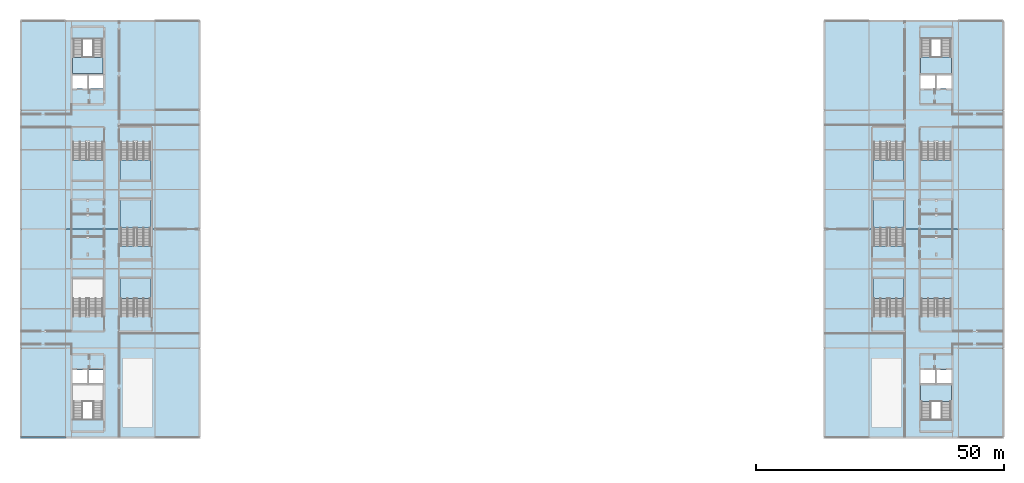
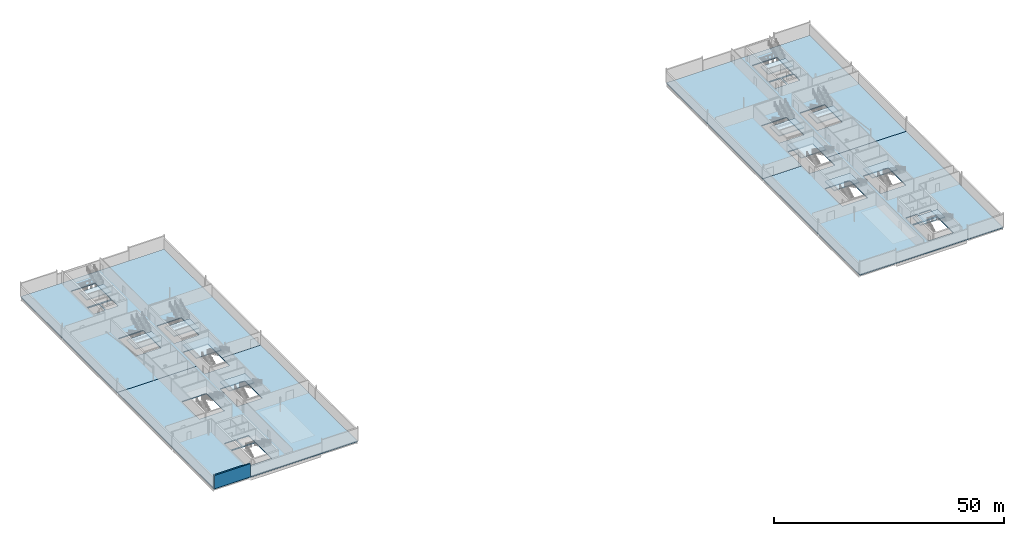
# One storey, part 13 of 30: 16 slabs, 1 wall, 12 elements without a shape of their own.
"""IFC4 building model written with IfcOpenShell, lengths in metres."""

from ifc_helpers import new_model, si_unit, direction, frame, frame_2d, origin, place, context, subcontext, project, spatial, polyline, rectangle, outline, extrude, material, layer, layer_set, type_object, element, aggregate, save


model = new_model("IFC4")

# Units and contexts
model_context = context("Model", 3, precision=1e-05, world=origin(), true_north=direction((0.0, 1.0)))
body_context = subcontext(model_context, "Body", "Model", "MODEL_VIEW")
ifc_project = project(units=[si_unit("LENGTHUNIT", "METRE"), si_unit("AREAUNIT", "SQUARE_METRE"), si_unit("VOLUMEUNIT", "CUBIC_METRE"), si_unit("PLANEANGLEUNIT", "RADIAN"), si_unit("MASSUNIT", "GRAM", prefix="KILO")], contexts=[model_context])

# Site, building, storey
site_placement = place(None, origin())
site = spatial("IfcSite", under=ifc_project, at=site_placement, CompositionType="ELEMENT")
building_placement = place(site_placement, origin())
building = spatial("IfcBuilding", under=site, at=building_placement, Name="Kisiwana Market Hall", CompositionType="ELEMENT")
storey_placement = place(building_placement, frame((0.0, 0.0, 54.0)))
storey = spatial("IfcBuildingStorey", under=building, at=storey_placement, Name="L12", CompositionType="ELEMENT", Elevation=54.0)

# Stair, slab
ifc_material_1 = material(Name="Concrete C32/40", Category="concrete")
stair_type_1 = type_object("IfcStairType", Name="ST-TWR-3900", PredefinedType="TWO_STRAIGHT_RUN_STAIR", material=ifc_material_1)
stair_1_placement = place(storey_placement, origin())
stair_1 = element("IfcStair", 1, at=stair_1_placement, inside=storey, type_object=stair_type_1, Name="Escape stair ST-W1-L12", PredefinedType="TWO_STRAIGHT_RUN_STAIR")
ifc_material_2 = material(Name="Concrete C32/40", Category="concrete")
ifc_layer_1 = layer(ifc_material_2, 0.239990234375)
ifc_layer_set_1 = layer_set([ifc_layer_1], Name="SL-LANDING-160")
slab_type_1 = type_object("IfcSlabType", Name="SL-LANDING-160", PredefinedType="LANDING", material=ifc_layer_set_1)
slab_1_placement = place(storey_placement, frame((0.0, 0.0, 1.7099609375)))
slab_1 = element("IfcSlab", 2, at=slab_1_placement, type_object=slab_type_1, Name="ST-W1-L12 landing 1 S-413", PredefinedType="LANDING", context=body_context, shape_type="SweptSolid", body=[
    extrude(outline(polyline([(10.405029296875, 91.35498046875), (16.594970703125, 91.35498046875), (16.594970703125, 94.666015625), (10.405029296875, 94.666015625), (10.405029296875, 91.35498046875)])), origin(), (0.0, 0.0, 1.0), 0.239990234375),
])
aggregate(stair_1, [slab_1])

stair_2_placement = place(storey_placement, origin())
stair_2 = element("IfcStair", 3, at=stair_2_placement, inside=storey, type_object=stair_type_1, Name="Escape stair ST-E2-L12", PredefinedType="TWO_STRAIGHT_RUN_STAIR")
slab_2_placement = place(storey_placement, frame((0.0, 0.0, 1.7099609375)))
slab_2 = element("IfcSlab", 4, at=slab_2_placement, type_object=slab_type_1, Name="ST-E2-L12 landing 1 S-407", PredefinedType="LANDING", context=body_context, shape_type="SweptSolid", body=[
    extrude(outline(polyline([(181.3798828125, 25.30908203125), (187.6201171875, 25.30908203125), (187.6201171875, 28.6201171875), (181.3798828125, 28.6201171875), (181.3798828125, 25.30908203125)])), origin(), (0.0, 0.0, 1.0), 0.239990234375),
])
aggregate(stair_2, [slab_2])

stair_3_placement = place(storey_placement, origin())
stair_3 = element("IfcStair", 5, at=stair_3_placement, inside=storey, type_object=stair_type_1, Name="Escape stair ST-E1-L12", PredefinedType="TWO_STRAIGHT_RUN_STAIR")
slab_3_placement = place(storey_placement, frame((0.0, 0.0, 1.7099609375)))
slab_3 = element("IfcSlab", 6, at=slab_3_placement, type_object=slab_type_1, Name="ST-E1-L12 landing 1 S-406", PredefinedType="LANDING", context=body_context, shape_type="SweptSolid", body=[
    extrude(outline(polyline([(181.3798828125, 91.3798828125), (187.6201171875, 91.3798828125), (187.6201171875, 94.69091796875), (181.3798828125, 94.69091796875), (181.3798828125, 91.3798828125)])), origin(), (0.0, 0.0, 1.0), 0.239990234375),
])
aggregate(stair_3, [slab_3])

ifc_material_3 = material(Name="Concrete C32/40", Category="concrete")
stair_type_2 = type_object("IfcStairType", Name="ST-ESC-3900", PredefinedType="TWO_STRAIGHT_RUN_STAIR", material=ifc_material_3)
stair_4_placement = place(storey_placement, origin())
stair_4 = element("IfcStair", 7, at=stair_4_placement, inside=storey, type_object=stair_type_2, Name="Escape stair ST-W4-L12", PredefinedType="TWO_STRAIGHT_RUN_STAIR")
slab_4_placement = place(storey_placement, frame((0.0, 0.0, 1.7099609375)))
slab_4 = element("IfcSlab", 8, at=slab_4_placement, type_object=slab_type_1, Name="ST-W4-L12 landing 1 S-416", PredefinedType="LANDING", context=body_context, shape_type="SweptSolid", body=[
    extrude(outline(polyline([(10.340087890625, 69.93994140625), (16.659912109375, 69.93994140625), (16.659912109375, 73.98046875), (10.340087890625, 73.98046875), (10.340087890625, 69.93994140625)])), origin(), (0.0, 0.0, 1.0), 0.239990234375),
])
aggregate(stair_4, [slab_4])

stair_5_placement = place(storey_placement, origin())
stair_5 = element("IfcStair", 9, at=stair_5_placement, inside=storey, type_object=stair_type_2, Name="Escape stair ST-E3-L12", PredefinedType="TWO_STRAIGHT_RUN_STAIR")
slab_5_placement = place(storey_placement, frame((0.0, 0.0, 1.7099609375)))
slab_5 = element("IfcSlab", 10, at=slab_5_placement, type_object=slab_type_1, Name="ST-E3-L12 landing 1 S-408", PredefinedType="LANDING", context=body_context, shape_type="SweptSolid", body=[
    extrude(outline(polyline([(181.340087890625, 46.01953125), (187.659912109375, 46.01953125), (187.659912109375, 50.06005859375), (181.340087890625, 50.06005859375), (181.340087890625, 46.01953125)])), origin(), (0.0, 0.0, 1.0), 0.239990234375),
])
aggregate(stair_5, [slab_5])

stair_6_placement = place(storey_placement, origin())
stair_6 = element("IfcStair", 11, at=stair_6_placement, inside=storey, type_object=stair_type_2, Name="Escape stair ST-E4-L12", PredefinedType="TWO_STRAIGHT_RUN_STAIR")
slab_6_placement = place(storey_placement, frame((0.0, 0.0, 1.7099609375)))
slab_6 = element("IfcSlab", 12, at=slab_6_placement, type_object=slab_type_1, Name="ST-E4-L12 landing 1 S-409", PredefinedType="LANDING", context=body_context, shape_type="SweptSolid", body=[
    extrude(outline(polyline([(181.340087890625, 69.93994140625), (187.659912109375, 69.93994140625), (187.659912109375, 73.98046875), (181.340087890625, 73.98046875), (181.340087890625, 69.93994140625)])), origin(), (0.0, 0.0, 1.0), 0.239990234375),
])
aggregate(stair_6, [slab_6])

stair_7_placement = place(storey_placement, origin())
stair_7 = element("IfcStair", 13, at=stair_7_placement, inside=storey, type_object=stair_type_2, Name="Escape stair ST-W7-L12", PredefinedType="TWO_STRAIGHT_RUN_STAIR")
slab_7_placement = place(storey_placement, frame((0.0, 0.0, 1.7099609375)))
slab_7 = element("IfcSlab", 14, at=slab_7_placement, type_object=slab_type_1, Name="ST-W7-L12 landing 1 S-418", PredefinedType="LANDING", context=body_context, shape_type="SweptSolid", body=[
    extrude(outline(polyline([(19.93994140625, 46.01953125), (26.260009765625, 46.01953125), (26.260009765625, 50.06005859375), (19.93994140625, 50.06005859375), (19.93994140625, 46.01953125)])), origin(), (0.0, 0.0, 1.0), 0.239990234375),
])
aggregate(stair_7, [slab_7])

stair_8_placement = place(storey_placement, origin())
stair_8 = element("IfcStair", 15, at=stair_8_placement, inside=storey, type_object=stair_type_2, Name="Escape stair ST-E7-L12", PredefinedType="TWO_STRAIGHT_RUN_STAIR")
slab_8_placement = place(storey_placement, frame((0.0, 0.0, 1.7099609375)))
slab_8 = element("IfcSlab", 16, at=slab_8_placement, type_object=slab_type_1, Name="ST-E7-L12 landing 1 S-411", PredefinedType="LANDING", context=body_context, shape_type="SweptSolid", body=[
    extrude(outline(polyline([(171.739990234375, 46.01953125), (178.06005859375, 46.01953125), (178.06005859375, 50.06005859375), (171.739990234375, 50.06005859375), (171.739990234375, 46.01953125)])), origin(), (0.0, 0.0, 1.0), 0.239990234375),
])
aggregate(stair_8, [slab_8])

stair_9_placement = place(storey_placement, origin())
stair_9 = element("IfcStair", 17, at=stair_9_placement, inside=storey, type_object=stair_type_2, Name="Escape stair ST-W8-L12", PredefinedType="TWO_STRAIGHT_RUN_STAIR")
slab_9_placement = place(storey_placement, frame((0.0, 0.0, 1.7099609375)))
slab_9 = element("IfcSlab", 18, at=slab_9_placement, type_object=slab_type_1, Name="ST-W8-L12 landing 1 S-419", PredefinedType="LANDING", context=body_context, shape_type="SweptSolid", body=[
    extrude(outline(polyline([(19.93994140625, 69.93994140625), (26.260009765625, 69.93994140625), (26.260009765625, 73.98046875), (19.93994140625, 73.98046875), (19.93994140625, 69.93994140625)])), origin(), (0.0, 0.0, 1.0), 0.239990234375),
])
aggregate(stair_9, [slab_9])

stair_10_placement = place(storey_placement, origin())
stair_10 = element("IfcStair", 19, at=stair_10_placement, inside=storey, type_object=stair_type_2, Name="Escape stair ST-E8-L12", PredefinedType="TWO_STRAIGHT_RUN_STAIR")
slab_10_placement = place(storey_placement, frame((0.0, 0.0, 1.7099609375)))
slab_10 = element("IfcSlab", 20, at=slab_10_placement, type_object=slab_type_1, Name="ST-E8-L12 landing 1 S-412", PredefinedType="LANDING", context=body_context, shape_type="SweptSolid", body=[
    extrude(outline(polyline([(171.739990234375, 69.93994140625), (178.06005859375, 69.93994140625), (178.06005859375, 73.98046875), (171.739990234375, 73.98046875), (171.739990234375, 69.93994140625)])), origin(), (0.0, 0.0, 1.0), 0.239990234375),
])
aggregate(stair_10, [slab_10])

stair_11_placement = place(storey_placement, origin())
stair_11 = element("IfcStair", 21, at=stair_11_placement, inside=storey, type_object=stair_type_2, Name="Escape stair ST-W5-L12", PredefinedType="TWO_STRAIGHT_RUN_STAIR")
slab_11_placement = place(storey_placement, frame((0.0, 0.0, 1.7099609375)))
slab_11 = element("IfcSlab", 22, at=slab_11_placement, type_object=slab_type_1, Name="ST-W5-L12 landing 1 S-417", PredefinedType="LANDING", context=body_context, shape_type="SweptSolid", body=[
    extrude(outline(polyline([(19.93994140625, 60.299560546875), (26.260009765625, 60.299560546875), (26.260009765625, 66.179931640625), (19.93994140625, 66.179931640625), (19.93994140625, 60.299560546875)])), origin(), (0.0, 0.0, 1.0), 0.239990234375),
])
aggregate(stair_11, [slab_11])

stair_12_placement = place(storey_placement, origin())
stair_12 = element("IfcStair", 23, at=stair_12_placement, inside=storey, type_object=stair_type_2, Name="Escape stair ST-E5-L12", PredefinedType="TWO_STRAIGHT_RUN_STAIR")
slab_12_placement = place(storey_placement, frame((0.0, 0.0, 1.7099609375)))
slab_12 = element("IfcSlab", 24, at=slab_12_placement, type_object=slab_type_1, Name="ST-E5-L12 landing 1 S-410", PredefinedType="LANDING", context=body_context, shape_type="SweptSolid", body=[
    extrude(outline(polyline([(171.739990234375, 60.299560546875), (178.06005859375, 60.299560546875), (178.06005859375, 66.179931640625), (171.739990234375, 66.179931640625), (171.739990234375, 60.299560546875)])), origin(), (0.0, 0.0, 1.0), 0.239990234375),
])
aggregate(stair_12, [slab_12])

# Slabs
ifc_material_4 = material(Name="Concrete C32/40", Category="concrete")
ifc_layer_2 = layer(ifc_material_4, 0.2451171875)
ifc_layer_set_2 = layer_set([ifc_layer_2], Name="SL-OFF-175")
slab_type_2 = type_object("IfcSlabType", Name="SL-OFF-175", PredefinedType="FLOOR", material=ifc_layer_set_2)
slab_13_placement = place(storey_placement, frame((0.0, 0.0, -0.2451171875)))
element("IfcSlab", 25, at=slab_13_placement, inside=storey, type_object=slab_type_2, Name="Structural slab S-402", PredefinedType="FLOOR", context=body_context, shape_type="SweptSolid", body=[
    extrude(outline(polyline([(0.0, 18.0), (36.0, 18.0), (36.0, 60.0), (26.239990234375, 60.0), (26.239990234375, 56.659912109375), (19.9599609375, 56.659912109375), (19.9599609375, 60.0), (0.0, 60.0), (0.0, 18.0)]), holes=[polyline([(10.425048828125, 21.675048828125), (16.574951171875, 21.675048828125), (16.574951171875, 28.625), (10.425048828125, 28.625), (10.425048828125, 21.675048828125)]), polyline([(10.425048828125, 28.945068359375), (13.340087890625, 28.945068359375), (13.340087890625, 31.675048828125), (10.425048828125, 31.675048828125), (10.425048828125, 28.945068359375)]), polyline([(13.659912109375, 28.945068359375), (16.574951171875, 28.945068359375), (16.574951171875, 31.675048828125), (13.659912109375, 31.675048828125), (13.659912109375, 28.945068359375)]), polyline([(10.360107421875, 42.3798828125), (16.639892578125, 42.3798828125), (16.639892578125, 50.0400390625), (10.360107421875, 50.0400390625), (10.360107421875, 42.3798828125)]), polyline([(19.9599609375, 42.3798828125), (26.239990234375, 42.3798828125), (26.239990234375, 50.0400390625), (19.9599609375, 50.0400390625), (19.9599609375, 42.3798828125)])]), origin(), (0.0, 0.0, 1.0), 0.2451171875),
])
slab_14_placement = place(storey_placement, frame((0.0, 0.0, -0.2451171875)))
element("IfcSlab", 26, at=slab_14_placement, inside=storey, type_object=slab_type_2, Name="Structural slab S-403", PredefinedType="FLOOR", context=body_context, shape_type="SweptSolid", body=[
    extrude(outline(polyline([(0.0, 60.0), (19.9599609375, 60.0), (19.9599609375, 66.159912109375), (26.239990234375, 66.159912109375), (26.239990234375, 60.0), (36.0, 60.0), (36.0, 102.0), (0.0, 102.0), (0.0, 60.0)]), holes=[polyline([(10.425048828125, 91.375), (16.574951171875, 91.375), (16.574951171875, 98.324951171875), (10.425048828125, 98.324951171875), (10.425048828125, 91.375)]), polyline([(10.425048828125, 88.324951171875), (13.340087890625, 88.324951171875), (13.340087890625, 91.054931640625), (10.425048828125, 91.054931640625), (10.425048828125, 88.324951171875)]), polyline([(13.659912109375, 88.324951171875), (16.574951171875, 88.324951171875), (16.574951171875, 91.054931640625), (13.659912109375, 91.054931640625), (13.659912109375, 88.324951171875)]), polyline([(10.360107421875, 69.9599609375), (16.639892578125, 69.9599609375), (16.639892578125, 77.6201171875), (10.360107421875, 77.6201171875), (10.360107421875, 69.9599609375)]), polyline([(19.9599609375, 69.9599609375), (26.239990234375, 69.9599609375), (26.239990234375, 77.6201171875), (19.9599609375, 77.6201171875), (19.9599609375, 69.9599609375)])]), origin(), (0.0, 0.0, 1.0), 0.2451171875),
])
slab_15_placement = place(storey_placement, frame((0.0, 0.0, -0.2451171875)))
element("IfcSlab", 27, at=slab_15_placement, inside=storey, type_object=slab_type_2, Name="Structural slab S-404", PredefinedType="FLOOR", context=body_context, shape_type="SweptSolid", body=[
    extrude(outline(polyline([(162.0, 18.0), (198.0, 18.0), (198.0, 60.0), (178.0400390625, 60.0), (178.0400390625, 56.659912109375), (171.760009765625, 56.659912109375), (171.760009765625, 60.0), (162.0, 60.0), (162.0, 18.0)]), holes=[polyline([(181.39990234375, 21.64990234375), (187.60009765625, 21.64990234375), (187.60009765625, 28.60009765625), (181.39990234375, 28.60009765625), (181.39990234375, 21.64990234375)]), polyline([(181.39990234375, 28.919921875), (184.340087890625, 28.919921875), (184.340087890625, 31.64990234375), (181.39990234375, 31.64990234375), (181.39990234375, 28.919921875)]), polyline([(184.659912109375, 28.919921875), (187.60009765625, 28.919921875), (187.60009765625, 31.64990234375), (184.659912109375, 31.64990234375), (184.659912109375, 28.919921875)]), polyline([(181.360107421875, 42.3798828125), (187.639892578125, 42.3798828125), (187.639892578125, 50.0400390625), (181.360107421875, 50.0400390625), (181.360107421875, 42.3798828125)]), polyline([(171.760009765625, 42.3798828125), (178.0400390625, 42.3798828125), (178.0400390625, 50.0400390625), (171.760009765625, 50.0400390625), (171.760009765625, 42.3798828125)])]), origin(), (0.0, 0.0, 1.0), 0.2451171875),
])
slab_16_placement = place(storey_placement, frame((0.0, 0.0, -0.2451171875)))
element("IfcSlab", 28, at=slab_16_placement, inside=storey, type_object=slab_type_2, Name="Structural slab S-405", PredefinedType="FLOOR", context=body_context, shape_type="SweptSolid", body=[
    extrude(outline(polyline([(162.0, 60.0), (171.760009765625, 60.0), (171.760009765625, 66.159912109375), (178.0400390625, 66.159912109375), (178.0400390625, 60.0), (198.0, 60.0), (198.0, 102.0), (162.0, 102.0), (162.0, 60.0)]), holes=[polyline([(181.39990234375, 91.39990234375), (187.60009765625, 91.39990234375), (187.60009765625, 98.35009765625), (181.39990234375, 98.35009765625), (181.39990234375, 91.39990234375)]), polyline([(181.39990234375, 88.35009765625), (184.340087890625, 88.35009765625), (184.340087890625, 91.080078125), (181.39990234375, 91.080078125), (181.39990234375, 88.35009765625)]), polyline([(184.659912109375, 88.35009765625), (187.60009765625, 88.35009765625), (187.60009765625, 91.080078125), (184.659912109375, 91.080078125), (184.659912109375, 88.35009765625)]), polyline([(181.360107421875, 69.9599609375), (187.639892578125, 69.9599609375), (187.639892578125, 77.6201171875), (181.360107421875, 77.6201171875), (181.360107421875, 69.9599609375)]), polyline([(171.760009765625, 69.9599609375), (178.0400390625, 69.9599609375), (178.0400390625, 77.6201171875), (171.760009765625, 77.6201171875), (171.760009765625, 69.9599609375)])]), origin(), (0.0, 0.0, 1.0), 0.2451171875),
])

# Wall
ifc_material_5 = material(Name="Concrete C40/50 precast", Category="concrete")
ifc_layer_3 = layer(ifc_material_5, 0.364990234375)
ifc_layer_set_3 = layer_set([ifc_layer_3], Name="WL-EXT-365")
wall_type = type_object("IfcWallType", Name="WL-EXT-365", PredefinedType="STANDARD", material=ifc_layer_set_3)
wall_placement = place(storey_placement, frame((0.010009765625, 18.0, 0.0), z_axis=(0.0, 0.0, 1.0), x_axis=(1.0, 0.0, 0.0)))
element("IfcWall", 29, at=wall_placement, inside=storey, type_object=wall_type, Name="Exterior wall W-2983", PredefinedType="STANDARD", context=body_context, shape_type="SweptSolid", body=[
    extrude(rectangle(XDim=8.97998046875, YDim=0.364990234375, at=frame_2d((4.489990234375, 0.0))), origin(), (0.0, 0.0, 1.0), 3.544921875),
])

save(model, "model.ifc")
